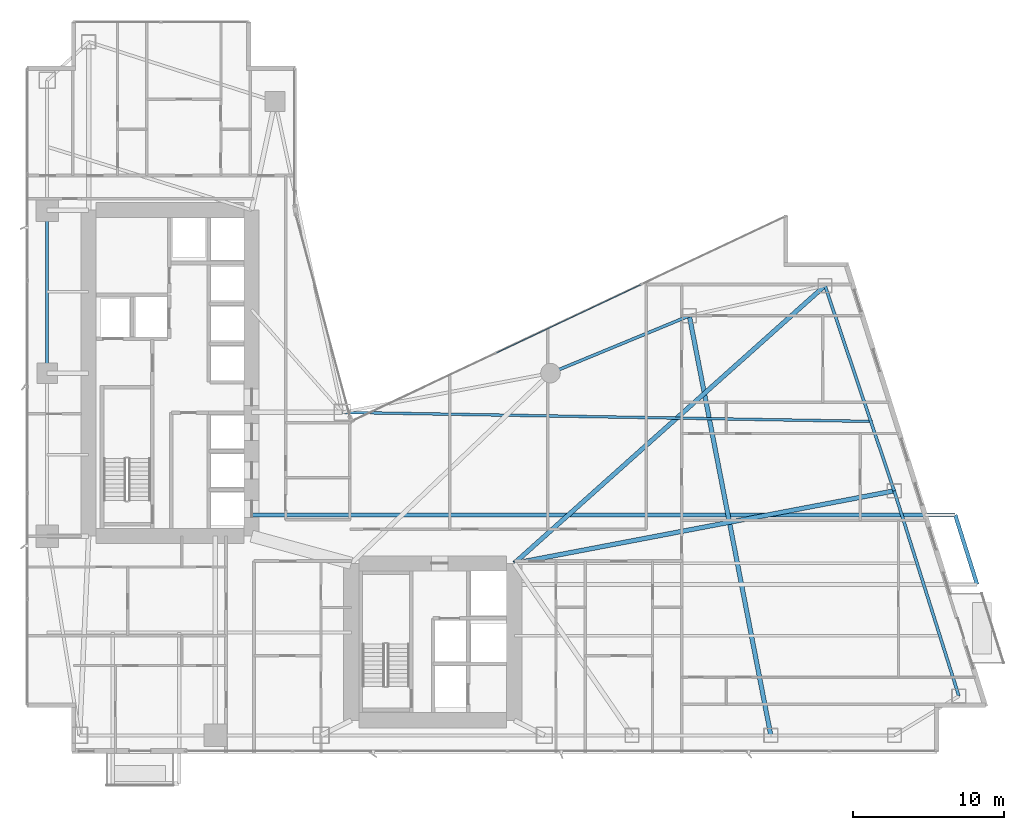
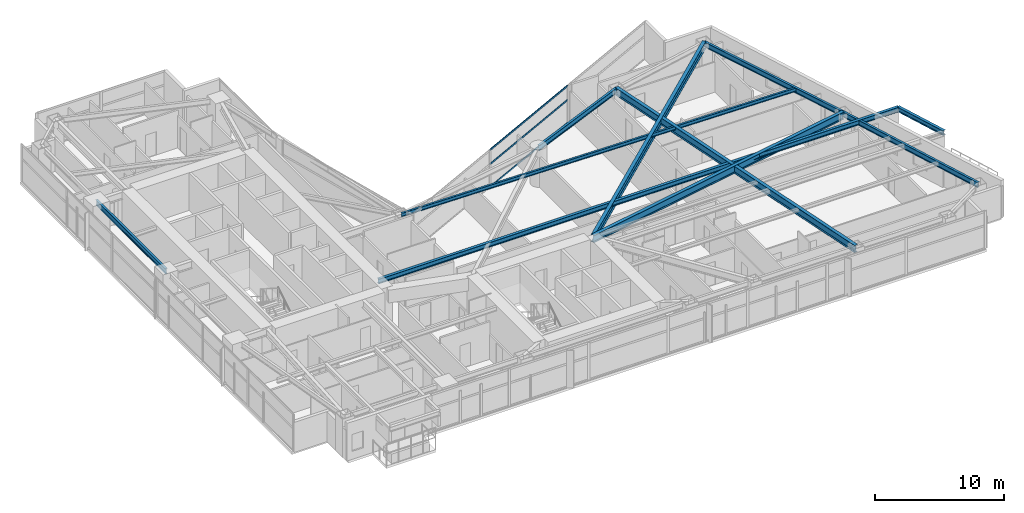
# One storey, part 15 of 30: 10 beams, 3 members, 1 element without a shape of its own.
"""IFC4 building model written with IfcOpenShell, lengths in metres."""

import ifcopenshell
import ifcopenshell.guid

model = None  # the IFC model being written
_history = None  # IfcOwnerHistory: only IFC2X3 demands one
_inside = {}  # id of a spatial element -> (the spatial element, [elements in it])
_under = {}  # id of a project, library or spatial element -> (it, [spatial elements below it])
_declared = {}  # id of a project -> (the project, [libraries it declares])
_typed = {}  # id of a type object -> (the type object, [elements of that type])
_made_of = {}  # id of a material, layer set ... -> (it, [elements and type objects made of it])


def new_model(schema):
    """Start an empty IFC model of exactly this schema.

    Asked for "IFC4X3", IfcOpenShell would pick the latest addendum, in which some entities
    have other attributes; the version numbers below select the first issue.
    IFC2X3 requires an IfcOwnerHistory on every rooted entity: one is made here for all.
    """
    global model, _history
    if schema == "IFC4X3":
        model = ifcopenshell.file(schema_version=(4, 3, 0, 0))
    else:
        model = ifcopenshell.file(schema=schema)
    _inside.clear()
    _under.clear()
    _declared.clear()
    _typed.clear()
    _made_of.clear()
    _history = None
    if model.schema == "IFC2X3":
        org = make("IfcOrganization", Name="unknown")
        user = make(
            "IfcPersonAndOrganization",
            ThePerson=make("IfcPerson", FamilyName="unknown"),
            TheOrganization=org,
        )
        app = make(
            "IfcApplication",
            ApplicationDeveloper=org,
            Version="unknown",
            ApplicationFullName="unknown",
            ApplicationIdentifier="unknown",
        )
        _history = make(
            "IfcOwnerHistory",
            OwningUser=user,
            OwningApplication=app,
            ChangeAction="ADDED",
            CreationDate=0,
        )
    return model


def make(cls, **values):
    """One entity of the class cls with the attributes given. An attribute that is None is left unset."""
    return model.create_entity(
        cls, **{name: value for name, value in values.items() if value is not None}
    )


def rooted(cls, **values):
    """An entity with a GlobalId (a new one), such as an element, a storey or a relation."""
    return make(cls, GlobalId=ifcopenshell.guid.new(), OwnerHistory=_history, **values)


def si_unit(unit_type, name, prefix=None):
    """IfcSIUnit, for example si_unit("LENGTHUNIT", "METRE", prefix="MILLI")."""
    return make("IfcSIUnit", UnitType=unit_type, Prefix=prefix, Name=name)


def assignment(units):
    """IfcUnitAssignment: the units of a project."""
    return None if units is None else make("IfcUnitAssignment", Units=units)


def point(xyz):
    """IfcCartesianPoint."""
    return None if xyz is None else make("IfcCartesianPoint", Coordinates=xyz)


def direction(xyz):
    """IfcDirection."""
    return None if xyz is None else make("IfcDirection", DirectionRatios=xyz)


def frame(location, z_axis=None, x_axis=None):
    """IfcAxis2Placement3D, a coordinate frame: its origin and axes. An axis left out is left unset."""
    return make(
        "IfcAxis2Placement3D",
        Location=point(location),
        Axis=direction(z_axis),
        RefDirection=direction(x_axis),
    )


def frame_2d(location, x_axis=None):
    """IfcAxis2Placement2D, a coordinate frame in the plane: its origin and x axis."""
    return make(
        "IfcAxis2Placement2D", Location=point(location), RefDirection=direction(x_axis)
    )


def origin():
    """The frame at (0, 0, 0) with its axes left unset."""
    return frame((0.0, 0.0, 0.0))


def origin_2d():
    """The frame at (0, 0) in the plane with its x axis left unset."""
    return frame_2d((0.0, 0.0))


def place(relative_to, where):
    """IfcLocalPlacement: puts the frame where relative to a parent placement (None: the world)."""
    return make(
        "IfcLocalPlacement", PlacementRelTo=relative_to, RelativePlacement=where
    )


def context(
    kind, dimensions, precision=None, world=None, true_north=None, identifier=None
):
    """IfcGeometricRepresentationContext, for example the 3D "Model" context."""
    return make(
        "IfcGeometricRepresentationContext",
        ContextIdentifier=identifier,
        ContextType=kind,
        CoordinateSpaceDimension=dimensions,
        Precision=precision,
        WorldCoordinateSystem=world,
        TrueNorth=true_north,
    )


def subcontext(parent, identifier, kind, view, scale=None):
    """IfcGeometricRepresentationSubContext, for example "Body" below "Model"."""
    return make(
        "IfcGeometricRepresentationSubContext",
        ContextIdentifier=identifier,
        ContextType=kind,
        ParentContext=parent,
        TargetScale=scale,
        TargetView=view,
    )


def project(units=None, contexts=None):
    """IfcProject with its units and contexts."""
    return rooted(
        "IfcProject",
        Name="project",
        RepresentationContexts=contexts,
        UnitsInContext=assignment(units),
    )


def spatial(cls, under=None, at=None, **own):
    """A site, building, storey or space (cls), placed at a placement, below another one or the project."""
    s = rooted(cls, ObjectPlacement=at, **own)
    if under is not None:
        _under.setdefault(under.id(), (under, []))[1].append(s)
    return s


def profile(cls, at=None, kind="AREA", **sizes):
    """A parametric profile (cls). Its sizes go by their IFC names, for example OverallWidth=200.0."""
    return make(cls, ProfileType=kind, Position=at, **sizes)


def hollow_rectangle(**sizes):
    """IfcRectangleHollowProfileDef."""
    return profile("IfcRectangleHollowProfileDef", **sizes)


def i_section(**sizes):
    """IfcIShapeProfileDef."""
    return profile("IfcIShapeProfileDef", **sizes)


def extrude(swept, where, along, depth):
    """IfcExtrudedAreaSolid: the profile swept, set in the frame where, extruded along a direction by depth."""
    return make(
        "IfcExtrudedAreaSolid",
        SweptArea=swept,
        Position=where,
        ExtrudedDirection=direction(along),
        Depth=depth,
    )


def shape(context_of_items, identifier, shape_type, items):
    """IfcShapeRepresentation: the items that make up one representation, for example the "Body"."""
    return make(
        "IfcShapeRepresentation",
        ContextOfItems=context_of_items,
        RepresentationIdentifier=identifier,
        RepresentationType=shape_type,
        Items=items,
    )


def material(Name=None, Category=None):
    """IfcMaterial."""
    return make("IfcMaterial", Name=Name, Category=Category)


def layer(
    of_material, thickness, ventilated=None, Name=None, Category=None, Priority=None
):
    """IfcMaterialLayer: one layer of a wall or slab, of a material (None: an air gap)."""
    return make(
        "IfcMaterialLayer",
        Material=of_material,
        LayerThickness=thickness,
        IsVentilated=ventilated,
        Name=Name,
        Category=Category,
        Priority=Priority,
    )


def layer_set(layers, Name=None):
    """IfcMaterialLayerSet."""
    return make("IfcMaterialLayerSet", MaterialLayers=layers, LayerSetName=Name)


def material_profile(
    of_material, cross_section, Name=None, Category=None, Priority=None
):
    """IfcMaterialProfile: a cross section and its material."""
    return make(
        "IfcMaterialProfile",
        Name=Name,
        Material=of_material,
        Profile=cross_section,
        Priority=Priority,
        Category=Category,
    )


def profile_set(profiles, Name=None, composite=None):
    """IfcMaterialProfileSet."""
    return make(
        "IfcMaterialProfileSet",
        Name=Name,
        MaterialProfiles=profiles,
        CompositeProfile=composite,
    )


def made_of(thing, what):
    """Note that an element or type object is made of a material, layer set ...; save() writes the relation."""
    if what is not None:
        _made_of.setdefault(what.id(), (what, []))[1].append(thing)
    return thing


def type_object(cls, material=None, **own):
    """A type object (cls), such as IfcWallType, which elements share."""
    return made_of(rooted(cls, **own), material)


def element(
    cls,
    number,
    at=None,
    inside=None,
    cuts=None,
    type_object=None,
    material=None,
    context=None,
    identifier="Body",
    shape_type=None,
    held_by="IfcProductDefinitionShape",
    body=None,
    shapes=None,
    **own,
):
    """One element of the class cls, such as IfcWall. Its Tag is "e" and its number.

    at: its placement. inside: the storey or other place that contains it. cuts: it is an
    opening in that element (IfcRelVoidsElement). A single representation is given by context,
    identifier, shape_type and body (its items); several are given by shapes. held_by: the class
    of the entity that holds the representations. save() writes the other relations.
    """
    e = rooted(cls, Tag="e%d" % number, ObjectPlacement=at, **own)
    if body is not None:
        shapes = [shape(context, identifier, shape_type, body)]
    if shapes is not None:
        e.Representation = make(held_by, Representations=shapes)
    if inside is not None:
        _inside.setdefault(inside.id(), (inside, []))[1].append(e)
    if cuts is not None:
        rooted(
            "IfcRelVoidsElement", RelatingBuildingElement=cuts, RelatedOpeningElement=e
        )
    if type_object is not None:
        _typed.setdefault(type_object.id(), (type_object, []))[1].append(e)
    return made_of(e, material)


def aggregate(whole, parts):
    """IfcRelAggregates: a whole, such as a stair, and the parts it consists of."""
    return rooted("IfcRelAggregates", RelatingObject=whole, RelatedObjects=parts)


def save(model, path):
    """Write the relations noted so far, then the file.

    IfcRelAggregates (storeys below a building ...), IfcRelContainedInSpatialStructure (elements
    in a storey), IfcRelDefinesByType, IfcRelAssociatesMaterial and IfcRelDeclares: one each for
    every whole, place, type object, material and project.
    """
    for whole, parts in _under.values():
        aggregate(whole, parts)
    for where, things in _inside.values():
        rooted(
            "IfcRelContainedInSpatialStructure",
            RelatedElements=things,
            RelatingStructure=where,
        )
    for kind, things in _typed.values():
        rooted("IfcRelDefinesByType", RelatedObjects=things, RelatingType=kind)
    for what, things in _made_of.values():
        rooted("IfcRelAssociatesMaterial", RelatedObjects=things, RelatingMaterial=what)
    for by, libraries in _declared.values():
        rooted("IfcRelDeclares", RelatingContext=by, RelatedDefinitions=libraries)
    model.write(path)


model = new_model("IFC4")

# Units and contexts
model_context = context("Model", 3, precision=1e-05, world=origin(), true_north=direction((0.0, 1.0)))
body_context = subcontext(model_context, "Body", "Model", "MODEL_VIEW")
ifc_project = project(units=[si_unit("LENGTHUNIT", "METRE"), si_unit("AREAUNIT", "SQUARE_METRE"), si_unit("VOLUMEUNIT", "CUBIC_METRE"), si_unit("PLANEANGLEUNIT", "RADIAN"), si_unit("MASSUNIT", "GRAM", prefix="KILO")], contexts=[model_context])

# Site, building, storey
site_placement = place(None, origin())
site = spatial("IfcSite", under=ifc_project, at=site_placement, CompositionType="ELEMENT")
building_placement = place(site_placement, origin())
building = spatial("IfcBuilding", under=site, at=building_placement, Name="Calvorn Quay Hotel", CompositionType="ELEMENT")
storey_placement = place(building_placement, frame((0.0, 0.0, 77.39990234375)))
storey = spatial("IfcBuildingStorey", under=building, at=storey_placement, Name="L18", CompositionType="ELEMENT", Elevation=77.39990234375)

# Beams
ifc_material_1 = material(Name="Steel Q355B", Category="steel")
ifc_material_profile_1 = material_profile(ifc_material_1, i_section(OverallWidth=0.25, OverallDepth=0.449951171875, WebThickness=0.011962890625, FlangeThickness=0.01611328125, FilletRadius=0.01611328125, at=origin_2d()), Name="HN450x250x12x16")
ifc_profile_set_1 = profile_set([ifc_material_profile_1], Name="Steel Q355B")
beam_type_1 = type_object("IfcBeamType", Name="BM-CANT-BALC", PredefinedType="BEAM", material=ifc_profile_set_1)
beam_1_placement = place(storey_placement, frame((15.0, 18.199951171875, 3.315185546875), z_axis=(1.0, 0.0, 0.0), x_axis=(0.0, 1.0, 0.0)))
element("IfcBeam", 1, at=beam_1_placement, inside=storey, type_object=beam_type_1, Name="Cantilever Balcony Beam BCB-L19-1B", PredefinedType="BEAM", context=body_context, shape_type="SweptSolid", body=[
    extrude(i_section(OverallWidth=0.25, OverallDepth=0.449951171875, WebThickness=0.011962890625, FlangeThickness=0.01611328125, FilletRadius=0.01611328125, at=origin_2d()), origin(), (0.0, 0.0, 1.0), 46.6201171875),
])
beam_2_placement = place(storey_placement, frame((63.069091796875, 13.60009765625, 3.315185546875), z_axis=(-0.300450487966, 0.953797412599, 0.0), x_axis=(-0.953797412599, -0.300450487966, 0.0)))
element("IfcBeam", 2, at=beam_2_placement, inside=storey, type_object=beam_type_1, Name="Beam BCBO-L19-1", PredefinedType="BEAM", context=body_context, shape_type="SweptSolid", body=[
    extrude(i_section(OverallWidth=0.25, OverallDepth=0.449951171875, WebThickness=0.011962890625, FlangeThickness=0.01611328125, FilletRadius=0.01611328125, at=origin_2d()), origin(), (0.0, 0.0, 1.0), 4.82275390625),
])
ifc_material_2 = material(Name="Steel Q390GJC", Category="steel")
ifc_material_profile_2 = material_profile(ifc_material_2, i_section(OverallWidth=0.300048828125, OverallDepth=0.699951171875, WebThickness=0.012939453125, FlangeThickness=0.02392578125, FilletRadius=0.02392578125, at=origin_2d()), Name="HN700x300x13x24")
ifc_profile_set_2 = profile_set([ifc_material_profile_2], Name="Steel Q390GJC")
beam_type_2 = type_object("IfcBeamType", Name="BM-GIRD-MAIN", PredefinedType="BEAM", material=ifc_profile_set_2)
beam_3_placement = place(storey_placement, frame((32.39990234375, 15.0, 3.190185546875), z_axis=(0.982305450614, 0.18728588226, 0.0), x_axis=(-0.18728588226, 0.982305450614, 0.0)))
element("IfcBeam", 3, at=beam_3_placement, inside=storey, type_object=beam_type_2, Name="Beam BG-L18-E2", PredefinedType="BEAM", context=body_context, shape_type="SweptSolid", body=[
    extrude(i_section(OverallWidth=0.300048828125, OverallDepth=0.699951171875, WebThickness=0.012939453125, FlangeThickness=0.02392578125, FilletRadius=0.02392578125, at=origin_2d()), origin(), (0.0, 0.0, 1.0), 25.629638671875),
])
beam_4_placement = place(storey_placement, frame((32.39990234375, 15.0, 3.190185546875), z_axis=(0.745667316004, 0.666318432766, 0.0), x_axis=(-0.666318432766, 0.745667316004, 0.0)))
element("IfcBeam", 4, at=beam_4_placement, inside=storey, type_object=beam_type_2, Name="Beam BG-L18-E3", PredefinedType="BEAM", context=body_context, shape_type="SweptSolid", body=[
    extrude(i_section(OverallWidth=0.300048828125, OverallDepth=0.699951171875, WebThickness=0.012939453125, FlangeThickness=0.02392578125, FilletRadius=0.02392578125, at=origin_2d()), origin(), (0.0, 0.0, 1.0), 27.6142578125),
])
beam_5_placement = place(storey_placement, frame((49.39990234375, 3.60009765625, 3.190185546875), z_axis=(-0.190678596862, 0.981652521363, 0.0), x_axis=(-0.981652521363, -0.190678596862, 0.0)))
element("IfcBeam", 5, at=beam_5_placement, inside=storey, type_object=beam_type_2, Name="Beam BG-L18-E5", PredefinedType="BEAM", context=body_context, shape_type="SweptSolid", body=[
    extrude(i_section(OverallWidth=0.300048828125, OverallDepth=0.699951171875, WebThickness=0.012939453125, FlangeThickness=0.02392578125, FilletRadius=0.02392578125, at=origin_2d()), origin(), (0.0, 0.0, 1.0), 28.3193359375),
])
ifc_material_3 = material(Name="Steel Q355B", Category="steel")
ifc_material_profile_3 = material_profile(ifc_material_3, i_section(OverallWidth=0.175048828125, OverallDepth=0.35009765625, WebThickness=0.007080078125, FlangeThickness=0.010986328125, FilletRadius=0.013916015625, at=origin_2d()), Name="HN350x175x7x11")
ifc_profile_set_3 = profile_set([ifc_material_profile_3], Name="Steel Q355B")
beam_type_3 = type_object("IfcBeamType", Name="BM-JOIST-SEC", PredefinedType="JOIST", material=ifc_profile_set_3)
beam_6_placement = place(storey_placement, frame((21.0, 25.0, 3.364990234375), z_axis=(0.999854105858, -0.017081188436, 0.0), x_axis=(0.017081188436, 0.999854105858, 0.0)))
element("IfcBeam", 6, at=beam_6_placement, inside=storey, type_object=beam_type_3, Name="Beam BJ-L18-E3", PredefinedType="JOIST", context=body_context, shape_type="SweptSolid", body=[
    extrude(i_section(OverallWidth=0.175048828125, OverallDepth=0.35009765625, WebThickness=0.007080078125, FlangeThickness=0.010986328125, FilletRadius=0.013916015625, at=origin_2d()), origin(), (0.0, 0.0, 1.0), 35.132080078125),
])
ifc_material_4 = material(Name="Steel Q355B", Category="steel")
ifc_material_profile_4 = material_profile(ifc_material_4, i_section(OverallWidth=0.199951171875, OverallDepth=0.5, WebThickness=0.010009765625, FlangeThickness=0.01611328125, FilletRadius=0.01611328125, at=origin_2d()), Name="HN500x200x10x16")
ifc_profile_set_4 = profile_set([ifc_material_profile_4], Name="Steel Q355B")
beam_type_4 = type_object("IfcBeamType", Name="BM-SPANDREL-Z1", PredefinedType="SPANDREL", material=ifc_profile_set_4)
beam_7_placement = place(storey_placement, frame((1.449951171875, 27.60009765625, 3.2900390625), z_axis=(0.0, 1.0, 0.0), x_axis=(-1.0, 0.0, 0.0)))
element("IfcBeam", 7, at=beam_7_placement, inside=storey, type_object=beam_type_4, Name="Beam BSP-L18-W3", PredefinedType="SPANDREL", context=body_context, shape_type="SweptSolid", body=[
    extrude(i_section(OverallWidth=0.199951171875, OverallDepth=0.5, WebThickness=0.010009765625, FlangeThickness=0.01611328125, FilletRadius=0.01611328125, at=origin_2d()), origin(), (0.0, 0.0, 1.0), 10.7998046875),
])
beam_8_placement = place(storey_placement, frame((61.861083984375, 6.199951171875, 3.2900390625), z_axis=(-0.300518378216, 0.953776024208, 0.0), x_axis=(-0.953776024208, -0.300518378216, 0.0)))
element("IfcBeam", 8, at=beam_8_placement, inside=storey, type_object=beam_type_4, Name="Beam BSP-L18-E1", PredefinedType="SPANDREL", context=body_context, shape_type="SweptSolid", body=[
    extrude(i_section(OverallWidth=0.199951171875, OverallDepth=0.5, WebThickness=0.010009765625, FlangeThickness=0.01611328125, FilletRadius=0.01611328125, at=origin_2d()), origin(), (0.0, 0.0, 1.0), 14.25927734375),
])
beam_9_placement = place(storey_placement, frame((57.575927734375, 19.800048828125, 3.2900390625), z_axis=(-0.319466515944, 0.947597564998, 0.0), x_axis=(-0.947597564998, -0.319466515944, 0.0)))
element("IfcBeam", 9, at=beam_9_placement, inside=storey, type_object=beam_type_4, Name="Beam BSP-L18-E2", PredefinedType="SPANDREL", context=body_context, shape_type="SweptSolid", body=[
    extrude(i_section(OverallWidth=0.199951171875, OverallDepth=0.5, WebThickness=0.010009765625, FlangeThickness=0.01611328125, FilletRadius=0.01611328125, at=origin_2d()), origin(), (0.0, 0.0, 1.0), 14.35205078125),
])
beam_10_placement = place(storey_placement, frame((44.0, 31.39990234375, 3.2900390625), z_axis=(-0.92426763497, -0.381745123017, 0.0), x_axis=(0.381745123017, -0.92426763497, 0.0)))
element("IfcBeam", 10, at=beam_10_placement, inside=storey, type_object=beam_type_4, Name="Beam BSP-L18-E4", PredefinedType="SPANDREL", context=body_context, shape_type="SweptSolid", body=[
    extrude(i_section(OverallWidth=0.199951171875, OverallDepth=0.5, WebThickness=0.010009765625, FlangeThickness=0.01611328125, FilletRadius=0.01611328125, at=origin_2d()), origin(), (0.0, 0.0, 1.0), 9.953857421875),
])

# Curtain wall, members
ifc_material_5 = material(Name="Pale Anodised Aluminium and Low-E Glass", Category="aluminium")
ifc_layer = layer(ifc_material_5, 0.219970703125)
ifc_layer_set = layer_set([ifc_layer], Name="CW-SYS-Z1")
curtain_wall_type = type_object("IfcCurtainWallType", Name="CW-SYS-Z1", PredefinedType="NOTDEFINED", material=ifc_layer_set)
curtain_wall_placement = place(storey_placement, origin())
curtain_wall = element("IfcCurtainWall", 11, at=curtain_wall_placement, inside=storey, type_object=curtain_wall_type, Name="Inner Court Curtain Wall L18-NE1", PredefinedType="NOTDEFINED")
ifc_material_6 = material(Name="Pale Anodised Aluminium 6063-T6", Category="aluminium")
ifc_material_profile_5 = material_profile(ifc_material_6, hollow_rectangle(XDim=0.06494140625, YDim=0.1650390625, WallThickness=0.00341796875, at=origin_2d()), Name="ALU-T165x65x3.5")
ifc_profile_set_5 = profile_set([ifc_material_profile_5], Name="Pale Anodised Aluminium 6063-T6")
member_type = type_object("IfcMemberType", Name="CW-SYS-Z1-TRN", PredefinedType="USERDEFINED", material=ifc_profile_set_5)
member_1_placement = place(storey_placement, frame((40.77294921875, 33.453857421875, 0.030029296875), z_axis=(-0.904247654564, -0.427008406493, 0.0), x_axis=(0.427008406493, -0.904247654564, 0.0)))
member_1 = element("IfcMember", 12, at=member_1_placement, type_object=member_type, Name="CW-L18-NE1 transom 2.1", ObjectType="TRANSOM", PredefinedType="USERDEFINED", context=body_context, shape_type="SweptSolid", body=[
    extrude(hollow_rectangle(XDim=0.06494140625, YDim=0.1650390625, WallThickness=0.00341796875, at=origin_2d()), origin(), (0.0, 0.0, 1.0), 10.556640625),
])
member_2_placement = place(storey_placement, frame((40.77294921875, 33.453857421875, 2.2001953125), z_axis=(-0.904247654564, -0.427008406493, 0.0), x_axis=(0.427008406493, -0.904247654564, 0.0)))
member_2 = element("IfcMember", 13, at=member_2_placement, type_object=member_type, Name="CW-L18-NE1 transom 2.2", ObjectType="TRANSOM", PredefinedType="USERDEFINED", context=body_context, shape_type="SweptSolid", body=[
    extrude(hollow_rectangle(XDim=0.06494140625, YDim=0.1650390625, WallThickness=0.00341796875, at=origin_2d()), origin(), (0.0, 0.0, 1.0), 10.556640625),
])
member_3_placement = place(storey_placement, frame((40.77294921875, 33.453857421875, 3.530029296875), z_axis=(-0.904247654564, -0.427008406493, 0.0), x_axis=(0.427008406493, -0.904247654564, 0.0)))
member_3 = element("IfcMember", 14, at=member_3_placement, type_object=member_type, Name="CW-L18-NE1 transom 2.3", ObjectType="TRANSOM", PredefinedType="USERDEFINED", context=body_context, shape_type="SweptSolid", body=[
    extrude(hollow_rectangle(XDim=0.06494140625, YDim=0.1650390625, WallThickness=0.00341796875, at=origin_2d()), origin(), (0.0, 0.0, 1.0), 10.556640625),
])
aggregate(curtain_wall, [member_1, member_2, member_3])

save(model, "model.ifc")
